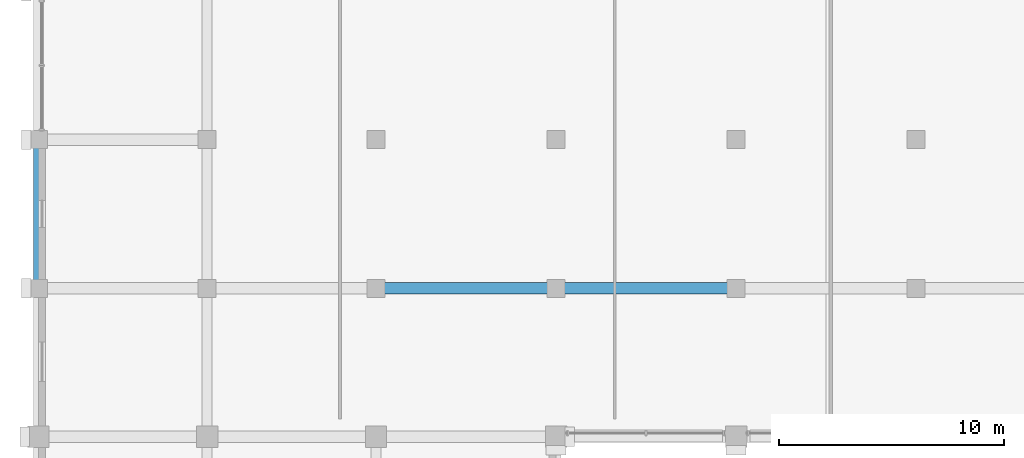
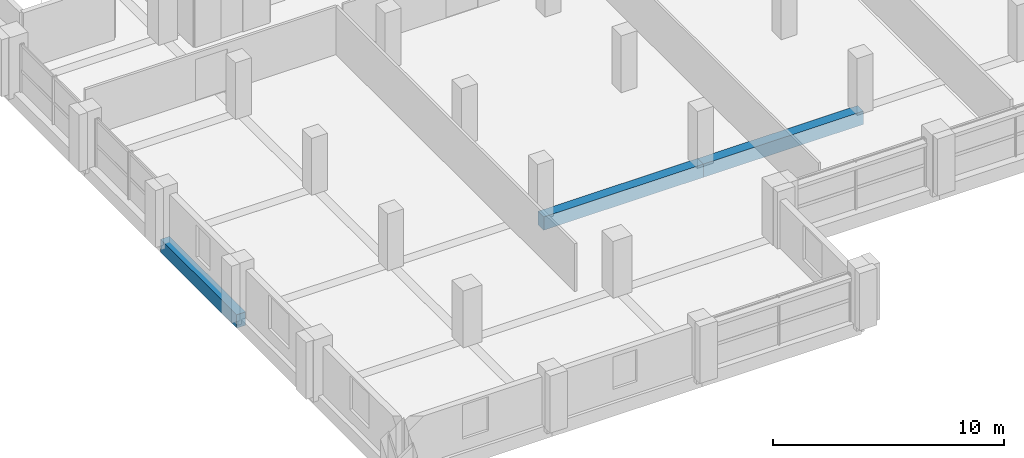
# One storey, part 3 of 21: 3 beams.
"""IFC4 building model written with IfcOpenShell, lengths in metres."""

from ifc_helpers import new_model, si_unit, direction, frame, origin, origin_2d, place, context, subcontext, project, spatial, rectangle, extrude, material, material_profile, profile_set, type_object, element, save


model = new_model("IFC4")

# Units and contexts
model_context = context("Model", 3, precision=1e-05, world=origin(), true_north=direction((0.0, 1.0)))
body_context = subcontext(model_context, "Body", "Model", "MODEL_VIEW")
ifc_project = project(units=[si_unit("LENGTHUNIT", "METRE"), si_unit("AREAUNIT", "SQUARE_METRE"), si_unit("VOLUMEUNIT", "CUBIC_METRE"), si_unit("PLANEANGLEUNIT", "RADIAN"), si_unit("MASSUNIT", "GRAM", prefix="KILO")], contexts=[model_context])

# Site, building, storey
site_placement = place(None, origin())
site = spatial("IfcSite", under=ifc_project, at=site_placement, CompositionType="ELEMENT")
building_placement = place(site_placement, origin())
building = spatial("IfcBuilding", under=site, at=building_placement, Name="Akrevak Sports Hall", CompositionType="ELEMENT")
storey_placement = place(building_placement, frame((0.0, 0.0, 37.300048828125)))
storey = spatial("IfcBuildingStorey", under=building, at=storey_placement, Name="L08", CompositionType="ELEMENT", Elevation=37.300048828125)

# Beams
ifc_material = material(Name="Concrete C40/50", Category="concrete")
ifc_material_profile_1 = material_profile(ifc_material, rectangle(XDim=0.449951171875, YDim=0.699951171875, at=origin_2d()), Name="BM 450x700", Category="concrete")
ifc_profile_set_1 = profile_set([ifc_material_profile_1], Name="Concrete C40/50")
beam_type_1 = type_object("IfcBeamType", Name="STR-BM-RC450x700", PredefinedType="BEAM", material=ifc_profile_set_1)
beam_placement = place(storey_placement, frame((45.0, 35.39990234375, -0.35009765625), z_axis=(0.0, 1.0, 0.0), x_axis=(-1.0, 0.0, 0.0)))
element("IfcBeam", 1, at=beam_placement, inside=storey, type_object=beam_type_1, Name="Girder 7/F-G (L08)", PredefinedType="BEAM", context=body_context, shape_type="SweptSolid", body=[
    extrude(rectangle(XDim=0.449951171875, YDim=0.699951171875, at=origin_2d()), origin(), (0.0, 0.0, 1.0), 6.60009765625),
])
ifc_material_profile_2 = material_profile(ifc_material, rectangle(XDim=0.5, YDim=0.699951171875, at=origin_2d()), Name="BM 500x700", Category="concrete")
ifc_profile_set_2 = profile_set([ifc_material_profile_2], Name="Concrete C40/50")
beam_type_2 = type_object("IfcBeamType", Name="STR-BM-RC500x700", PredefinedType="BEAM", material=ifc_profile_set_2)
for number, where, z_axis, x_axis, name in (
    (2, (60.0, 35.39990234375, -0.35009765625), (1.0, 0.0, 0.0), (0.0, 1.0, 0.0), "Girder F/9-10 (L08)"),
    (3, (68.0, 35.39990234375, -0.35009765625), (1.0, 0.0, 0.0), (0.0, 1.0, 0.0), "Girder F/10-11 (L08)"),
):
    element("IfcBeam", number, at=place(storey_placement, frame(where, z_axis=z_axis, x_axis=x_axis)), inside=storey, type_object=beam_type_2, Name=name, PredefinedType="BEAM", context=body_context, shape_type="SweptSolid", body=[
        extrude(rectangle(XDim=0.5, YDim=0.699951171875, at=origin_2d()), origin(), (0.0, 0.0, 1.0), 8.0),
    ])

save(model, "model.ifc")
